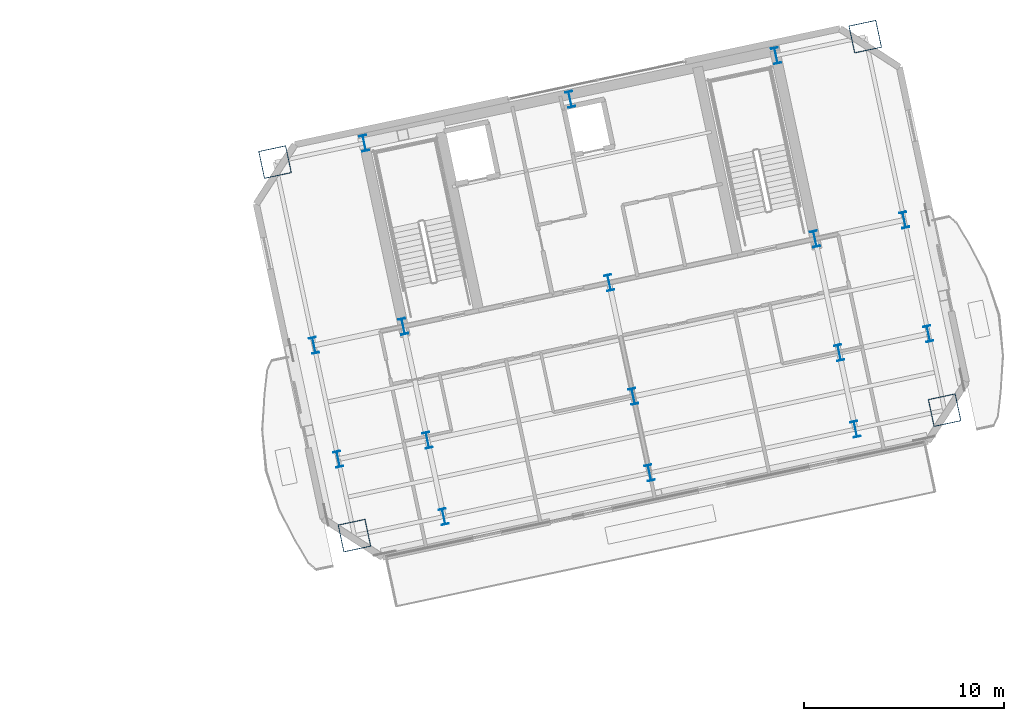
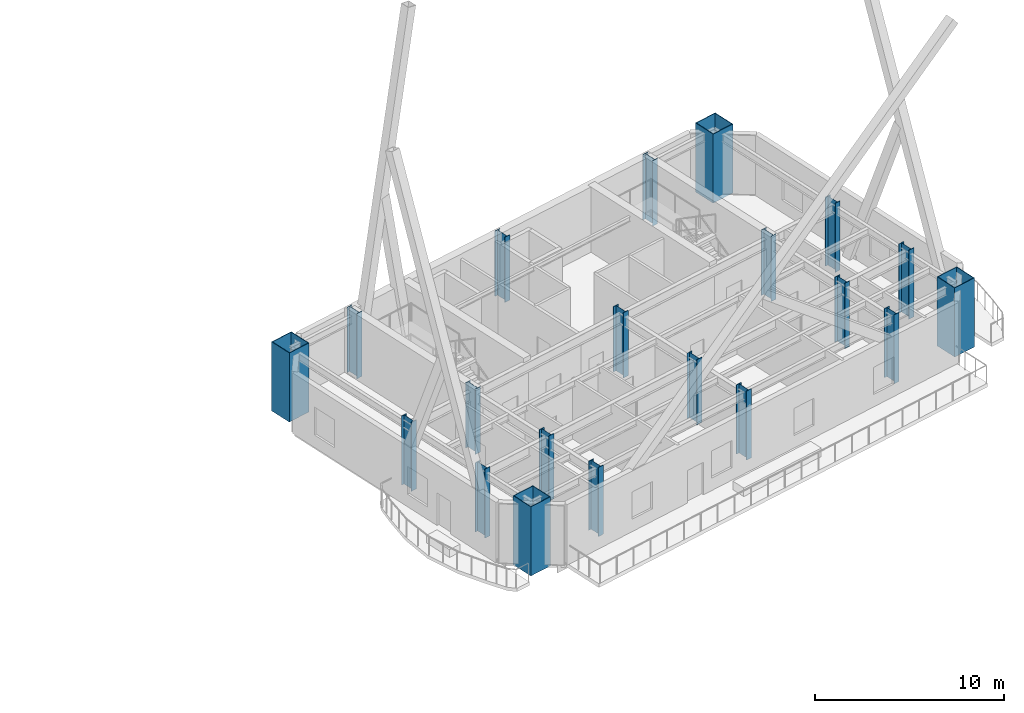
# One storey, part 2 of 22: 20 columns.
"""IFC4 building model written with IfcOpenShell, lengths in metres."""

from ifc_helpers import new_model, si_unit, direction, frame, origin, origin_2d, place, context, subcontext, project, spatial, hollow_rectangle, i_section, extrude, material, material_profile, profile_set, type_object, element, save


model = new_model("IFC4")

# Units and contexts
model_context = context("Model", 3, precision=1e-05, world=origin(), true_north=direction((0.0, 1.0)))
body_context = subcontext(model_context, "Body", "Model", "MODEL_VIEW")
ifc_project = project(units=[si_unit("LENGTHUNIT", "METRE"), si_unit("AREAUNIT", "SQUARE_METRE"), si_unit("VOLUMEUNIT", "CUBIC_METRE"), si_unit("PLANEANGLEUNIT", "RADIAN"), si_unit("MASSUNIT", "GRAM", prefix="KILO")], contexts=[model_context])

# Site, building, storey
site_placement = place(None, origin())
site = spatial("IfcSite", under=ifc_project, at=site_placement, CompositionType="ELEMENT")
building_placement = place(site_placement, origin())
building = spatial("IfcBuilding", under=site, at=building_placement, Name="Haevon Station Towers", CompositionType="ELEMENT")
storey_placement = place(building_placement, frame((0.0, 0.0, 133.800048828125)))
storey = spatial("IfcBuildingStorey", under=building, at=storey_placement, Name="L36", CompositionType="ELEMENT", Elevation=133.800048828125)

# Columns
ifc_material = material(Name="Steel S460", Category="steel")
ifc_material_profile_1 = material_profile(ifc_material, hollow_rectangle(XDim=1.39990234375, YDim=1.39990234375, WallThickness=0.035888671875, at=origin_2d()), Name="BOX-1400x1400x36")
ifc_profile_set_1 = profile_set([ifc_material_profile_1], Name="Steel S460")
column_type_1 = type_object("IfcColumnType", Name="COL-MC3", PredefinedType="COLUMN", material=ifc_profile_set_1)
for number, where, z_axis, x_axis, name in (
    (1, (96.318603515625, 27.00830078125, -0.25), (0.0, 0.0, 1.0), (0.978147600734, 0.207911690818, 0.0), "COL-T2-L36-01-01"),
    (2, (92.35791015625, 45.64208984375, -0.25), (0.0, 0.0, 1.0), (0.978147600734, 0.207911690818, 0.0), "COL-T2-L36-01-04"),
    (3, (125.7607421875, 33.2666015625, -0.25), (0.0, 0.0, 1.0), (0.978147600734, 0.207911690818, 0.0), "COL-T2-L36-05-01"),
    (4, (121.800048828125, 51.900146484375, -0.25), (0.0, 0.0, 1.0), (0.978147600734, 0.207911690818, 0.0), "COL-T2-L36-05-04"),
):
    element("IfcColumn", number, at=place(storey_placement, frame(where, z_axis=z_axis, x_axis=x_axis)), inside=storey, type_object=column_type_1, Name=name, PredefinedType="COLUMN", context=body_context, shape_type="SweptSolid", body=[
        extrude(hollow_rectangle(XDim=1.39990234375, YDim=1.39990234375, WallThickness=0.035888671875, at=origin_2d()), origin(), (0.0, 0.0, 1.0), 4.449951171875),
    ])
ifc_material_profile_2 = material_profile(ifc_material, i_section(OverallWidth=0.35009765625, OverallDepth=0.800048828125, WebThickness=0.01806640625, FlangeThickness=0.031982421875, at=origin_2d()), Name="H-800x350x18x32")
ifc_profile_set_2 = profile_set([ifc_material_profile_2], Name="Steel S460")
column_type_2 = type_object("IfcColumnType", Name="COL-TW2", PredefinedType="COLUMN", material=ifc_profile_set_2)
for number, where, z_axis, x_axis, name in (
    (5, (95.507568359375, 30.8232421875, -0.25), (0.0, 0.0, 1.0), (0.978147600734, 0.207911690818, 0.0), "COL-T2-L36-01-02"),
    (6, (94.3017578125, 36.496337890625, -0.25), (0.0, 0.0, 1.0), (0.978147600734, 0.207911690818, 0.0), "COL-T2-L36-01-03"),
    (7, (100.76904296875, 27.954345703125, -0.25), (0.0, 0.0, 1.0), (0.978147600734, 0.207911690818, 0.0), "COL-T2-L36-02-01"),
):
    element("IfcColumn", number, at=place(storey_placement, frame(where, z_axis=z_axis, x_axis=x_axis)), inside=storey, type_object=column_type_2, Name=name, PredefinedType="COLUMN", context=body_context, shape_type="SweptSolid", body=[
        extrude(i_section(OverallWidth=0.35009765625, OverallDepth=0.800048828125, WebThickness=0.01806640625, FlangeThickness=0.031982421875, at=origin_2d()), origin(), (0.0, 0.0, 1.0), 4.449951171875),
    ])
for number, where, z_axis, x_axis, name in (
    (8, (99.958251953125, 31.76904296875, 0.0), (0.0, 0.0, 1.0), (0.978147600734, 0.207911690818, 0.0), "COL-T2-L36-02-02"),
    (9, (98.75244140625, 37.4423828125, 0.0), (0.0, 0.0, 1.0), (0.978147600734, 0.207911690818, 0.0), "COL-T2-L36-02-03"),
    (10, (96.808349609375, 46.588134765625, 0.0), (0.0, 0.0, 1.0), (0.978147600734, 0.207911690818, 0.0), "COL-T2-L36-02-04"),
):
    element("IfcColumn", number, at=place(storey_placement, frame(where, z_axis=z_axis, x_axis=x_axis)), inside=storey, type_object=column_type_2, Name=name, PredefinedType="COLUMN", context=body_context, shape_type="SweptSolid", body=[
        extrude(i_section(OverallWidth=0.35009765625, OverallDepth=0.800048828125, WebThickness=0.01806640625, FlangeThickness=0.031982421875, at=origin_2d()), origin(), (0.0, 0.0, 1.0), 4.199951171875),
    ])
column_1_placement = place(storey_placement, frame((111.03955078125, 30.137451171875, -0.25), z_axis=(0.0, 0.0, 1.0), x_axis=(0.978147600734, 0.207911690818, 0.0)))
element("IfcColumn", 11, at=column_1_placement, inside=storey, type_object=column_type_2, Name="COL-T2-L36-03-01", PredefinedType="COLUMN", context=body_context, shape_type="SweptSolid", body=[
    extrude(i_section(OverallWidth=0.35009765625, OverallDepth=0.800048828125, WebThickness=0.01806640625, FlangeThickness=0.031982421875, at=origin_2d()), origin(), (0.0, 0.0, 1.0), 4.449951171875),
])
for number, where, z_axis, x_axis, name in (
    (12, (110.228759765625, 33.9521484375, 0.0), (0.0, 0.0, 1.0), (0.978147600734, 0.207911690818, 0.0), "COL-T2-L36-03-02"),
    (13, (109.02294921875, 39.62548828125, 0.0), (0.0, 0.0, 1.0), (0.978147600734, 0.207911690818, 0.0), "COL-T2-L36-03-03"),
    (14, (107.078857421875, 48.771240234375, 0.0), (0.0, 0.0, 1.0), (0.978147600734, 0.207911690818, 0.0), "COL-T2-L36-03-04"),
):
    element("IfcColumn", number, at=place(storey_placement, frame(where, z_axis=z_axis, x_axis=x_axis)), inside=storey, type_object=column_type_2, Name=name, PredefinedType="COLUMN", context=body_context, shape_type="SweptSolid", body=[
        extrude(i_section(OverallWidth=0.35009765625, OverallDepth=0.800048828125, WebThickness=0.01806640625, FlangeThickness=0.031982421875, at=origin_2d()), origin(), (0.0, 0.0, 1.0), 4.199951171875),
    ])
column_2_placement = place(storey_placement, frame((121.310302734375, 32.320556640625, -0.25), z_axis=(0.0, 0.0, 1.0), x_axis=(0.978147600734, 0.207911690818, 0.0)))
element("IfcColumn", 15, at=column_2_placement, inside=storey, type_object=column_type_2, Name="COL-T2-L36-04-01", PredefinedType="COLUMN", context=body_context, shape_type="SweptSolid", body=[
    extrude(i_section(OverallWidth=0.35009765625, OverallDepth=0.800048828125, WebThickness=0.01806640625, FlangeThickness=0.031982421875, at=origin_2d()), origin(), (0.0, 0.0, 1.0), 4.449951171875),
])
for number, where, z_axis, x_axis, name in (
    (16, (120.499267578125, 36.13525390625, 0.0), (0.0, 0.0, 1.0), (0.978147600734, 0.207911690818, 0.0), "COL-T2-L36-04-02"),
    (17, (119.29345703125, 41.80859375, 0.0), (0.0, 0.0, 1.0), (0.978147600734, 0.207911690818, 0.0), "COL-T2-L36-04-03"),
    (18, (117.349365234375, 50.954345703125, 0.0), (0.0, 0.0, 1.0), (0.978147600734, 0.207911690818, 0.0), "COL-T2-L36-04-04"),
):
    element("IfcColumn", number, at=place(storey_placement, frame(where, z_axis=z_axis, x_axis=x_axis)), inside=storey, type_object=column_type_2, Name=name, PredefinedType="COLUMN", context=body_context, shape_type="SweptSolid", body=[
        extrude(i_section(OverallWidth=0.35009765625, OverallDepth=0.800048828125, WebThickness=0.01806640625, FlangeThickness=0.031982421875, at=origin_2d()), origin(), (0.0, 0.0, 1.0), 4.199951171875),
    ])
for number, where, z_axis, x_axis, name in (
    (19, (124.949951171875, 37.081298828125, -0.25), (0.0, 0.0, 1.0), (0.978147600734, 0.207911690818, 0.0), "COL-T2-L36-05-02"),
    (20, (123.744140625, 42.754638671875, -0.25), (0.0, 0.0, 1.0), (0.978147600734, 0.207911690818, 0.0), "COL-T2-L36-05-03"),
):
    element("IfcColumn", number, at=place(storey_placement, frame(where, z_axis=z_axis, x_axis=x_axis)), inside=storey, type_object=column_type_2, Name=name, PredefinedType="COLUMN", context=body_context, shape_type="SweptSolid", body=[
        extrude(i_section(OverallWidth=0.35009765625, OverallDepth=0.800048828125, WebThickness=0.01806640625, FlangeThickness=0.031982421875, at=origin_2d()), origin(), (0.0, 0.0, 1.0), 4.449951171875),
    ])

save(model, "model.ifc")
